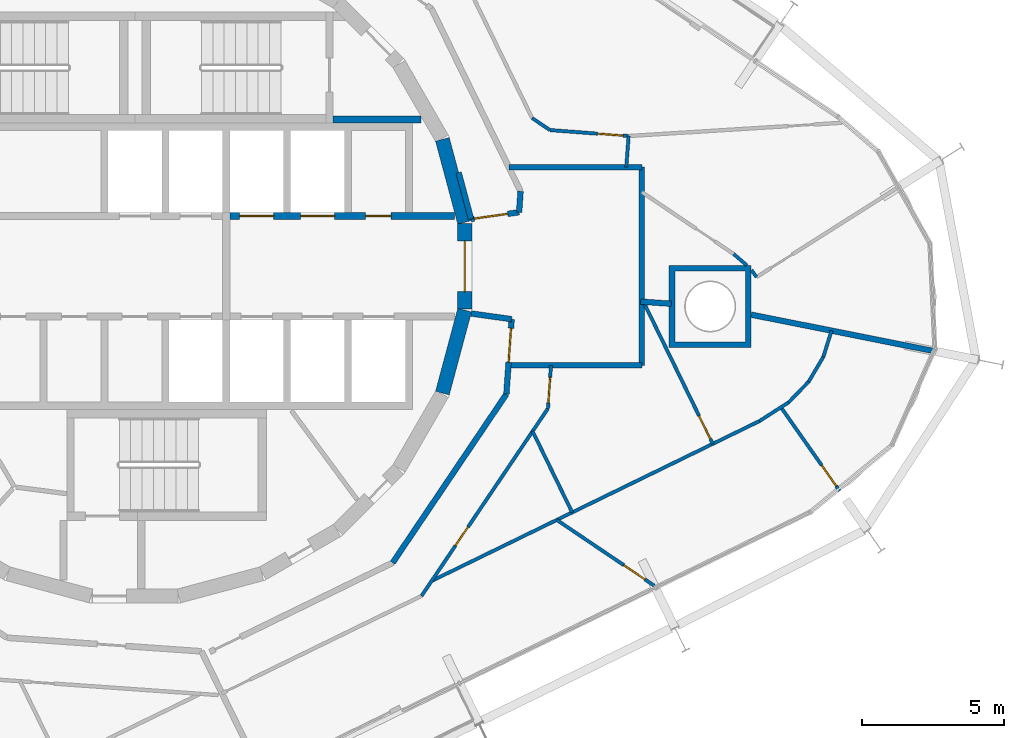
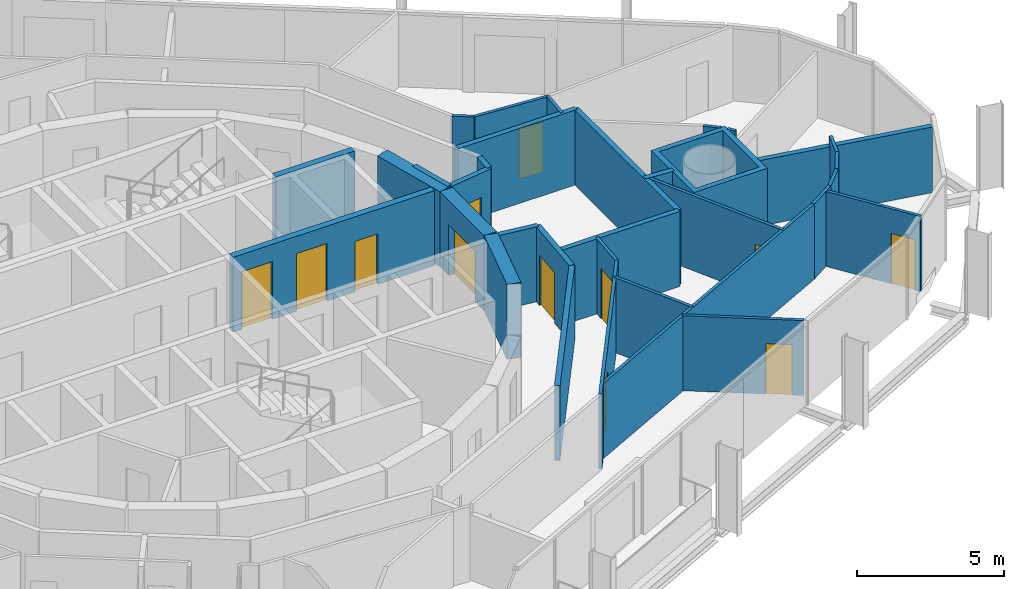
# One storey, part 14 of 18: 33 walls, 12 doors, 12 openings.
"""IFC4 building model written with IfcOpenShell, lengths in metres."""

from ifc_helpers import new_model, si_unit, direction, frame, frame_2d, origin, place, context, subcontext, project, spatial, polyline, rectangle, outline, extrude, material, layer, layer_set, type_object, element, fill, save


model = new_model("IFC4")

# Units and contexts
model_context = context("Model", 3, precision=1e-05, world=origin(), true_north=direction((0.0, 1.0)))
body_context = subcontext(model_context, "Body", "Model", "MODEL_VIEW")
ifc_project = project(units=[si_unit("LENGTHUNIT", "METRE"), si_unit("AREAUNIT", "SQUARE_METRE"), si_unit("VOLUMEUNIT", "CUBIC_METRE"), si_unit("PLANEANGLEUNIT", "RADIAN"), si_unit("MASSUNIT", "GRAM", prefix="KILO")], contexts=[model_context])

# Site, building, storey
site_placement = place(None, origin())
site = spatial("IfcSite", under=ifc_project, at=site_placement, CompositionType="ELEMENT")
building_placement = place(site_placement, origin())
building = spatial("IfcBuilding", under=site, at=building_placement, Name="Spindle Arch Residences", CompositionType="ELEMENT")
storey_placement = place(building_placement, frame((0.0, 0.0, 205.89990234375)))
storey = spatial("IfcBuildingStorey", under=building, at=storey_placement, Name="L52", CompositionType="ELEMENT", Elevation=205.89990234375)

# Wall
ifc_material_1 = material(Name="Concrete C50/60", Category="concrete")
ifc_layer_1 = layer(ifc_material_1, 0.5)
ifc_layer_set_1 = layer_set([ifc_layer_1], Name="Core outline wall 500")
wall_type_1 = type_object("IfcWallType", Name="Core outline wall 500", PredefinedType="SHEAR", material=ifc_layer_set_1)
wall_1_placement = place(storey_placement, frame((10.858154296875, -4.479248046875, 0.0), z_axis=(0.0, 0.0, 1.0), x_axis=(0.258734743916, 0.965948410781, 0.0)))
element("IfcWall", 1, at=wall_1_placement, inside=storey, type_object=wall_type_1, Name="Core outline wall 5", PredefinedType="SHEAR", context=body_context, shape_type="SweptSolid", body=[
    extrude(rectangle(XDim=3.03271484375, YDim=0.5, at=frame_2d((1.516357421875, 0.0))), origin(), (0.0, 0.0, 1.0), 3.1201171875),
])

# Wall, opening, door
wall_2_placement = place(storey_placement, frame((11.647216796875, -1.516357421875, 0.0), z_axis=(0.0, 0.0, 1.0), x_axis=(0.0, 1.0, 0.0)))
wall_2 = element("IfcWall", 2, at=wall_2_placement, inside=storey, type_object=wall_type_1, Name="Core outline wall 6", PredefinedType="SHEAR", context=body_context, shape_type="SweptSolid", body=[
    extrude(rectangle(XDim=3.03271484375, YDim=0.5, at=frame_2d((1.516357421875, 0.0))), origin(), (0.0, 0.0, 1.0), 3.1201171875),
])
opening_1_placement = place(wall_2_placement, frame((0.6162109375, 0.0, 0.0)))
opening_1 = element("IfcOpeningElement", 3, at=opening_1_placement, cuts=wall_2, Name="Opening R5B1-FE01", PredefinedType="OPENING", context=body_context, shape_type="SweptSolid", body=[
    extrude(rectangle(XDim=1.800048828125, YDim=2.10009765625, at=frame_2d((0.89990234375, 1.050048828125))), frame((0.0, 0.260009765625, 0.0), z_axis=(0.0, -1.0, 0.0), x_axis=(1.0, 0.0, 0.0)), (0.0, 0.0, 1.0), 0.52001953125),
])
ifc_material_2 = material(Name="Steel, fire-resisting door", Category="steel")
door_type_1 = type_object("IfcDoorType", Name="Fire-lift lobby door 1800x2100", OperationType="DOUBLE_DOOR_SINGLE_SWING", PredefinedType="DOOR", material=ifc_material_2)
door_1_placement = place(opening_1_placement, origin())
door_1 = element("IfcDoor", 4, at=door_1_placement, inside=storey, type_object=door_type_1, Name="Fire-lift lobby door R5B1-FE01", OperationType="DOUBLE_DOOR_SINGLE_SWING", OverallHeight=2.10009765625, OverallWidth=1.800048828125, PredefinedType="DOOR", context=body_context, shape_type="SweptSolid", body=[
    extrude(rectangle(XDim=1.800048828125, YDim=2.10009765625, at=frame_2d((0.89990234375, 1.050048828125))), frame((0.0, 0.02490234375, 0.0), z_axis=(0.0, -1.0, 0.0), x_axis=(1.0, 0.0, 0.0)), (0.0, 0.0, 1.0), 0.050048828125),
])
fill(opening_1, door_1)

# Walls
wall_3_placement = place(storey_placement, frame((11.642822265625, 1.5498046875, 0.0), z_axis=(0.0, 0.0, 1.0), x_axis=(-0.258734743916, 0.965948410781, 0.0)))
element("IfcWall", 5, at=wall_3_placement, inside=storey, type_object=wall_type_1, Name="Core outline wall 7", PredefinedType="SHEAR", context=body_context, shape_type="SweptSolid", body=[
    extrude(rectangle(XDim=3.03271484375, YDim=0.5, at=frame_2d((1.516357421875, 0.0))), origin(), (0.0, 0.0, 1.0), 3.1201171875),
])
ifc_material_3 = material(Name="Calcium silicate block, plastered")
ifc_layer_2 = layer(ifc_material_3, 0.199951171875)
ifc_layer_set_2 = layer_set([ifc_layer_2], Name="Corridor wall 200")
wall_type_2 = type_object("IfcWallType", Name="Corridor wall 200", PredefinedType="STANDARD", material=ifc_layer_set_2)
wall_4_placement = place(storey_placement, frame((9.101318359375, -10.469970703125, 0.0), z_axis=(0.0, 0.0, 1.0), x_axis=(0.559195469534, 0.829035841718, 0.0)))
element("IfcWall", 6, at=wall_4_placement, inside=storey, type_object=wall_type_2, Name="Corridor wall R5B1-W021", PredefinedType="STANDARD", context=body_context, shape_type="SweptSolid", body=[
    extrude(rectangle(XDim=7.18115234375, YDim=0.199951171875, at=frame_2d((3.590576171875, 0.0))), origin(), (0.0, 0.0, 1.0), 3.1201171875),
])
ifc_material_4 = material(Name="Calcium silicate block, plastered")
ifc_layer_3 = layer(ifc_material_4, 0.199951171875)
ifc_layer_set_3 = layer_set([ifc_layer_3], Name="Fire-lift lobby bay wall 200")
wall_type_3 = type_object("IfcWallType", Name="Fire-lift lobby bay wall 200", PredefinedType="STANDARD", material=ifc_layer_set_3)
wall_5_placement = place(storey_placement, frame((11.8701171875, 1.668212890625, 0.0), z_axis=(0.0, 0.0, 1.0), x_axis=(-0.258836880648, 0.965921047093, 0.0)))
element("IfcWall", 7, at=wall_5_placement, inside=storey, type_object=wall_type_3, Name="Fire-lift lobby bay wall R5B1-W001", PredefinedType="STANDARD", context=body_context, shape_type="SweptSolid", body=[
    extrude(rectangle(XDim=1.695068359375, YDim=0.199951171875, at=frame_2d((0.84765625, 0.0))), origin(), (0.0, 0.0, 1.0), 3.1201171875),
])

# Wall, opening, door
wall_6_placement = place(storey_placement, frame((11.8701171875, 1.668212890625, 0.0), z_axis=(0.0, 0.0, 1.0), x_axis=(0.990271931984, 0.139145609792, 0.0)))
wall_6 = element("IfcWall", 8, at=wall_6_placement, inside=storey, type_object=wall_type_3, Name="Fire-lift lobby bay wall R5B1-W002", PredefinedType="STANDARD", context=body_context, shape_type="SweptSolid", body=[
    extrude(rectangle(XDim=1.71240234375, YDim=0.199951171875, at=frame_2d((0.856201171875, 0.0))), origin(), (0.0, 0.0, 1.0), 3.1201171875),
])
opening_2_placement = place(wall_6_placement, frame((0.110107421875, 0.0, 0.0)))
opening_2 = element("IfcOpeningElement", 9, at=opening_2_placement, cuts=wall_6, Name="Opening R5B1-CD01", PredefinedType="OPENING", context=body_context, shape_type="SweptSolid", body=[
    extrude(rectangle(XDim=1.199951171875, YDim=2.10009765625, at=frame_2d((0.60009765625, 1.050048828125))), frame((0.0, 0.10986328125, 0.0), z_axis=(0.0, -1.0, 0.0), x_axis=(1.0, 0.0, 0.0)), (0.0, 0.0, 1.0), 0.219970703125),
])
ifc_material_5 = material(Name="Steel, fire-resisting door", Category="steel")
door_type_2 = type_object("IfcDoorType", Name="Corridor division door 1200x2100", OperationType="NOTDEFINED", PredefinedType="DOOR", material=ifc_material_5)
door_2_placement = place(opening_2_placement, origin())
door_2 = element("IfcDoor", 10, at=door_2_placement, inside=storey, type_object=door_type_2, Name="Corridor division door R5B1-CD01", OperationType="DOUBLE_DOOR_SINGLE_SWING", OverallHeight=2.10009765625, OverallWidth=1.199951171875, PredefinedType="DOOR", context=body_context, shape_type="SweptSolid", body=[
    extrude(rectangle(XDim=1.199951171875, YDim=2.10009765625, at=frame_2d((0.60009765625, 1.050048828125))), frame((0.0, 0.02490234375, 0.0), z_axis=(0.0, -1.0, 0.0), x_axis=(1.0, 0.0, 0.0)), (0.0, 0.0, 1.0), 0.050048828125),
])
fill(opening_2, door_2)

# Wall
wall_7_placement = place(storey_placement, frame((13.56591796875, 1.906494140625, 0.0), z_axis=(0.0, 0.0, 1.0), x_axis=(0.07005495793, 0.997543133338, 0.0)))
element("IfcWall", 11, at=wall_7_placement, inside=storey, type_object=wall_type_3, Name="Fire-lift lobby bay wall R5B1-W003", PredefinedType="STANDARD", context=body_context, shape_type="SweptSolid", body=[
    extrude(rectangle(XDim=0.7421875, YDim=0.199951171875, at=frame_2d((0.37109375, 0.0))), origin(), (0.0, 0.0, 1.0), 3.1201171875),
])

# Wall, opening, door
wall_8_placement = place(storey_placement, frame((13.116943359375, -4.5166015625, 0.0), z_axis=(0.0, 0.0, 1.0), x_axis=(0.069736659613, 0.997565435601, 0.0)))
wall_8 = element("IfcWall", 12, at=wall_8_placement, inside=storey, type_object=wall_type_3, Name="Fire-lift lobby bay wall R5B1-W013", PredefinedType="STANDARD", context=body_context, shape_type="SweptSolid", body=[
    extrude(rectangle(XDim=2.653564453125, YDim=0.199951171875, at=frame_2d((1.32666015625, 0.0))), origin(), (0.0, 0.0, 1.0), 3.1201171875),
])
opening_3_placement = place(wall_8_placement, frame((1.134033203125, 0.0, 0.0)))
opening_3 = element("IfcOpeningElement", 13, at=opening_3_placement, cuts=wall_8, Name="Opening R5B1-CD02", PredefinedType="OPENING", context=body_context, shape_type="SweptSolid", body=[
    extrude(rectangle(XDim=1.199951171875, YDim=2.10009765625, at=frame_2d((0.60009765625, 1.050048828125))), frame((0.0, 0.10986328125, 0.0), z_axis=(0.0, -1.0, 0.0), x_axis=(1.0, 0.0, 0.0)), (0.0, 0.0, 1.0), 0.219970703125),
])
door_3_placement = place(opening_3_placement, origin())
door_3 = element("IfcDoor", 14, at=door_3_placement, inside=storey, type_object=door_type_2, Name="Corridor division door R5B1-CD02", OperationType="DOUBLE_DOOR_SINGLE_SWING", OverallHeight=2.10009765625, OverallWidth=1.199951171875, PredefinedType="DOOR", context=body_context, shape_type="SweptSolid", body=[
    extrude(rectangle(XDim=1.199951171875, YDim=2.10009765625, at=frame_2d((0.60009765625, 1.050048828125))), frame((0.0, 0.02490234375, 0.0), z_axis=(0.0, -1.0, 0.0), x_axis=(1.0, 0.0, 0.0)), (0.0, 0.0, 1.0), 0.050048828125),
])
fill(opening_3, door_3)

# Walls
wall_9_placement = place(storey_placement, frame((13.302001953125, -1.869384765625, 0.0), z_axis=(0.0, 0.0, 1.0), x_axis=(-0.990274397042, 0.13912806533, 0.0)))
element("IfcWall", 15, at=wall_9_placement, inside=storey, type_object=wall_type_3, Name="Fire-lift lobby bay wall R5B1-W014", PredefinedType="STANDARD", context=body_context, shape_type="SweptSolid", body=[
    extrude(rectangle(XDim=1.446044921875, YDim=0.199951171875, at=frame_2d((0.72314453125, 0.0))), origin(), (0.0, 0.0, 1.0), 3.1201171875),
])
wall_10_placement = place(storey_placement, frame((17.89990234375, 3.5, 0.0), z_axis=(0.0, 0.0, 1.0), x_axis=(-1.0, 0.0, 0.0)))
element("IfcWall", 16, at=wall_10_placement, inside=storey, type_object=wall_type_3, Name="Fire-lift lobby bay wall R5B1-W025", PredefinedType="STANDARD", context=body_context, shape_type="SweptSolid", body=[
    extrude(rectangle(XDim=4.697998046875, YDim=0.199951171875, at=frame_2d((2.34912109375, 0.0))), origin(), (0.0, 0.0, 1.0), 3.1201171875),
])
wall_11_placement = place(storey_placement, frame((17.89990234375, -3.5, 0.0), z_axis=(0.0, 0.0, 1.0), x_axis=(0.0, 1.0, 0.0)))
element("IfcWall", 17, at=wall_11_placement, inside=storey, type_object=wall_type_3, Name="Fire-lift lobby bay wall R5B1-W026", PredefinedType="STANDARD", context=body_context, shape_type="SweptSolid", body=[
    extrude(rectangle(XDim=7.0, YDim=0.199951171875, at=frame_2d((3.5, 0.0))), origin(), (0.0, 0.0, 1.0), 3.1201171875),
])
wall_12_placement = place(storey_placement, frame((13.18798828125, -3.5, 0.0), z_axis=(0.0, 0.0, 1.0), x_axis=(1.0, 0.0, 0.0)))
element("IfcWall", 18, at=wall_12_placement, inside=storey, type_object=wall_type_3, Name="Fire-lift lobby bay wall R5B1-W027", PredefinedType="STANDARD", context=body_context, shape_type="SweptSolid", body=[
    extrude(rectangle(XDim=4.7119140625, YDim=0.199951171875, at=frame_2d((2.35595703125, 0.0))), origin(), (0.0, 0.0, 1.0), 3.1201171875),
])

# Wall, openings, doors
ifc_material_6 = material(Name="Concrete C40/50", Category="concrete")
ifc_layer_4 = layer(ifc_material_6, 0.25)
ifc_layer_set_4 = layer_set([ifc_layer_4], Name="Fire-lift lobby wall 250")
wall_type_4 = type_object("IfcWallType", Name="Fire-lift lobby wall 250", PredefinedType="SHEAR", material=ifc_layer_set_4)
wall_13_placement = place(storey_placement, frame((3.35009765625, 1.77490234375, 0.0), z_axis=(0.0, 0.0, 1.0), x_axis=(1.0, 0.0, 0.0)))
wall_13 = element("IfcWall", 19, at=wall_13_placement, inside=storey, type_object=wall_type_4, Name="Lift shaft front wall NE", PredefinedType="SHEAR", context=body_context, shape_type="SweptSolid", body=[
    extrude(rectangle(XDim=7.929931640625, YDim=0.25, at=frame_2d((3.96484375, 0.0))), origin(), (0.0, 0.0, 1.0), 3.1201171875),
])
opening_4_placement = place(wall_13_placement, frame((0.35009765625, 0.0, 0.0)))
opening_4 = element("IfcOpeningElement", 20, at=opening_4_placement, cuts=wall_13, Name="Opening R5B1-SLD01", PredefinedType="OPENING", context=body_context, shape_type="SweptSolid", body=[
    extrude(rectangle(XDim=1.199951171875, YDim=2.39990234375, at=frame_2d((0.60009765625, 1.199951171875))), frame((0.0, 0.135009765625, 0.0), z_axis=(0.0, -1.0, 0.0), x_axis=(1.0, 0.0, 0.0)), (0.0, 0.0, 1.0), 0.27001953125),
])
opening_5_placement = place(wall_13_placement, frame((2.5, 0.0, 0.0)))
opening_5 = element("IfcOpeningElement", 21, at=opening_5_placement, cuts=wall_13, Name="Opening R5B1-SLD02", PredefinedType="OPENING", context=body_context, shape_type="SweptSolid", body=[
    extrude(rectangle(XDim=1.199951171875, YDim=2.39990234375, at=frame_2d((0.60009765625, 1.199951171875))), frame((0.0, 0.135009765625, 0.0), z_axis=(0.0, -1.0, 0.0), x_axis=(1.0, 0.0, 0.0)), (0.0, 0.0, 1.0), 0.27001953125),
])
opening_6_placement = place(wall_13_placement, frame((4.800048828125, 0.0, 0.0)))
opening_6 = element("IfcOpeningElement", 22, at=opening_6_placement, cuts=wall_13, Name="Opening R5B1-WD02", PredefinedType="OPENING", context=body_context, shape_type="SweptSolid", body=[
    extrude(rectangle(XDim=0.89990234375, YDim=2.10009765625, at=frame_2d((0.449951171875, 1.050048828125))), frame((0.0, 0.135009765625, 0.0), z_axis=(0.0, -1.0, 0.0), x_axis=(1.0, 0.0, 0.0)), (0.0, 0.0, 1.0), 0.27001953125),
])
ifc_material_7 = material(Name="Steel, fire-resisting landing door", Category="steel")
door_type_3 = type_object("IfcDoorType", Name="Service lift landing door 1200x2400", OperationType="DOUBLE_DOOR_SLIDING", PredefinedType="DOOR", material=ifc_material_7)
door_4_placement = place(opening_4_placement, origin())
door_4 = element("IfcDoor", 23, at=door_4_placement, inside=storey, type_object=door_type_3, Name="Service lift landing door R5B1-SLD01", OperationType="DOUBLE_DOOR_SLIDING", OverallHeight=2.39990234375, OverallWidth=1.199951171875, PredefinedType="DOOR", context=body_context, shape_type="SweptSolid", body=[
    extrude(rectangle(XDim=1.199951171875, YDim=2.39990234375, at=frame_2d((0.60009765625, 1.199951171875))), frame((0.0, 0.02490234375, 0.0), z_axis=(0.0, -1.0, 0.0), x_axis=(1.0, 0.0, 0.0)), (0.0, 0.0, 1.0), 0.050048828125),
])
fill(opening_4, door_4)
door_5_placement = place(opening_5_placement, origin())
door_5 = element("IfcDoor", 24, at=door_5_placement, inside=storey, type_object=door_type_3, Name="Service lift landing door R5B1-SLD02", OperationType="DOUBLE_DOOR_SLIDING", OverallHeight=2.39990234375, OverallWidth=1.199951171875, PredefinedType="DOOR", context=body_context, shape_type="SweptSolid", body=[
    extrude(rectangle(XDim=1.199951171875, YDim=2.39990234375, at=frame_2d((0.60009765625, 1.199951171875))), frame((0.0, 0.02490234375, 0.0), z_axis=(0.0, -1.0, 0.0), x_axis=(1.0, 0.0, 0.0)), (0.0, 0.0, 1.0), 0.050048828125),
])
fill(opening_5, door_5)
ifc_material_8 = material(Name="Steel, fire-resisting door", Category="steel")
door_type_4 = type_object("IfcDoorType", Name="Service room door 900x2100", OperationType="SINGLE_SWING_LEFT", PredefinedType="DOOR", material=ifc_material_8)
door_6_placement = place(opening_6_placement, origin())
door_6 = element("IfcDoor", 25, at=door_6_placement, inside=storey, type_object=door_type_4, Name="Service room door R5B1-WD02", OperationType="SINGLE_SWING_RIGHT", OverallHeight=2.10009765625, OverallWidth=0.89990234375, PredefinedType="DOOR", context=body_context, shape_type="SweptSolid", body=[
    extrude(rectangle(XDim=0.89990234375, YDim=2.10009765625, at=frame_2d((0.449951171875, 1.050048828125))), frame((0.0, 0.02490234375, 0.0), z_axis=(0.0, -1.0, 0.0), x_axis=(1.0, 0.0, 0.0)), (0.0, 0.0, 1.0), 0.050048828125),
])
fill(opening_6, door_6)

# Wall
ifc_material_9 = material(Name="Plasterboard on steel studs", Category="steel")
ifc_layer_5 = layer(ifc_material_9, 0.1201171875)
ifc_layer_set_5 = layer_set([ifc_layer_5], Name="Flat partition 120")
wall_type_5 = type_object("IfcWallType", Name="Flat partition 120", PredefinedType="PARTITIONING", material=ifc_layer_set_5)
wall_14_placement = place(storey_placement, frame((17.3505859375, 3.5, 0.0), z_axis=(0.0, 0.0, 1.0), x_axis=(0.075374124137, 0.997155324616, 0.0)))
element("IfcWall", 26, at=wall_14_placement, inside=storey, type_object=wall_type_5, Name="Flat partition R5B1-W038", PredefinedType="PARTITIONING", context=body_context, shape_type="SweptSolid", body=[
    extrude(rectangle(XDim=1.101318359375, YDim=0.1201171875, at=frame_2d((0.55078125, 0.0))), origin(), (0.0, 0.0, 1.0), 3.1201171875),
])

# Wall, opening, door
wall_15_placement = place(storey_placement, frame((17.43359375, 4.59814453125, 0.0), z_axis=(0.0, 0.0, 1.0), x_axis=(-0.997152077354, 0.075417071205, 0.0)))
wall_15 = element("IfcWall", 27, at=wall_15_placement, inside=storey, type_object=wall_type_5, Name="Flat partition R5B1-W039", PredefinedType="PARTITIONING", context=body_context, shape_type="SweptSolid", body=[
    extrude(rectangle(XDim=2.787353515625, YDim=0.1201171875, at=frame_2d((1.3935546875, 0.0))), origin(), (0.0, 0.0, 1.0), 3.1201171875),
])
opening_7_placement = place(wall_15_placement, frame((0.199951171875, 0.0, 0.0)))
opening_7 = element("IfcOpeningElement", 28, at=opening_7_placement, cuts=wall_15, Name="Opening R5B1-ID01", PredefinedType="OPENING", context=body_context, shape_type="SweptSolid", body=[
    extrude(rectangle(XDim=0.89990234375, YDim=2.10009765625, at=frame_2d((0.449951171875, 1.050048828125))), frame((0.0, 0.070068359375, 0.0), z_axis=(0.0, -1.0, 0.0), x_axis=(1.0, 0.0, 0.0)), (0.0, 0.0, 1.0), 0.14013671875),
])
ifc_material_10 = material(Name="Timber door set", Category="wood")
door_type_5 = type_object("IfcDoorType", Name="Room door 900x2100", OperationType="NOTDEFINED", PredefinedType="DOOR", material=ifc_material_10)
door_7_placement = place(opening_7_placement, origin())
door_7 = element("IfcDoor", 29, at=door_7_placement, inside=storey, type_object=door_type_5, Name="Room door R5B1-ID01", OperationType="SINGLE_SWING_LEFT", OverallHeight=2.10009765625, OverallWidth=0.89990234375, PredefinedType="DOOR", context=body_context, shape_type="SweptSolid", body=[
    extrude(rectangle(XDim=0.89990234375, YDim=2.10009765625, at=frame_2d((0.449951171875, 1.050048828125))), frame((0.0, 0.02490234375, 0.0), z_axis=(0.0, -1.0, 0.0), x_axis=(1.0, 0.0, 0.0)), (0.0, 0.0, 1.0), 0.050048828125),
])
fill(opening_7, door_7)

# Walls
wall_16_placement = place(storey_placement, frame((14.654296875, 4.808349609375, 0.0), z_axis=(0.0, 0.0, 1.0), x_axis=(-0.829065184024, 0.559151965604, 0.0)))
element("IfcWall", 30, at=wall_16_placement, inside=storey, type_object=wall_type_5, Name="Flat partition R5B1-W040", PredefinedType="PARTITIONING", context=body_context, shape_type="SweptSolid", body=[
    extrude(rectangle(XDim=0.758056640625, YDim=0.1201171875, at=frame_2d((0.37890625, 0.0))), origin(), (0.0, 0.0, 1.0), 3.1201171875),
])
wall_17_placement = place(storey_placement, frame((21.610107421875, 0.02978515625, 0.0), z_axis=(0.0, 0.0, 1.0), x_axis=(-0.758532196215, 0.651635563259, 0.0)))
element("IfcWall", 31, at=wall_17_placement, inside=storey, type_object=wall_type_5, Name="Flat partition R5B1-W043", PredefinedType="PARTITIONING", context=body_context, shape_type="SweptSolid", body=[
    extrude(rectangle(XDim=0.618896484375, YDim=0.1201171875, at=frame_2d((0.3095703125, 0.0))), origin(), (0.0, 0.0, 1.0), 3.1201171875),
])
wall_18_placement = place(storey_placement, frame((21.77197265625, -0.13623046875, 0.0), z_axis=(0.0, 0.0, 1.0), x_axis=(0.587310294779, -0.809361858285, 0.0)))
element("IfcWall", 32, at=wall_18_placement, inside=storey, type_object=wall_type_5, Name="Flat partition R5B1-W046", PredefinedType="PARTITIONING", context=body_context, shape_type="SweptSolid", body=[
    extrude(rectangle(XDim=0.303466796875, YDim=0.1201171875, at=frame_2d((0.15185546875, 0.0))), origin(), (0.0, 0.0, 1.0), 3.1201171875),
])

# Wall, opening, door
wall_19_placement = place(storey_placement, frame((10.1201171875, -11.641845703125, 0.0), z_axis=(0.0, 0.0, 1.0), x_axis=(0.55920080659, 0.829032241779, 0.0)))
wall_19 = element("IfcWall", 33, at=wall_19_placement, inside=storey, type_object=wall_type_5, Name="Flat partition R5B1-W102", PredefinedType="PARTITIONING", context=body_context, shape_type="SweptSolid", body=[
    extrude(rectangle(XDim=7.98486328125, YDim=0.1201171875, at=frame_2d((3.992431640625, 0.0))), origin(), (0.0, 0.0, 1.0), 3.1201171875),
])
opening_8_placement = place(wall_19_placement, frame((2.138427734375, 0.0, 0.0)))
opening_8 = element("IfcOpeningElement", 34, at=opening_8_placement, cuts=wall_19, Name="Opening R5B1-BD06", PredefinedType="OPENING", context=body_context, shape_type="SweptSolid", body=[
    extrude(rectangle(XDim=0.800048828125, YDim=2.10009765625, at=frame_2d((0.39990234375, 1.050048828125))), frame((0.0, 0.070068359375, 0.0), z_axis=(0.0, -1.0, 0.0), x_axis=(1.0, 0.0, 0.0)), (0.0, 0.0, 1.0), 0.14013671875),
])
ifc_material_11 = material(Name="Timber door set", Category="wood")
door_type_6 = type_object("IfcDoorType", Name="Bathroom door 800x2100", OperationType="NOTDEFINED", PredefinedType="DOOR", material=ifc_material_11)
door_8_placement = place(opening_8_placement, origin())
door_8 = element("IfcDoor", 35, at=door_8_placement, inside=storey, type_object=door_type_6, Name="Bathroom door R5B1-BD06", OperationType="SINGLE_SWING_RIGHT", OverallHeight=2.10009765625, OverallWidth=0.800048828125, PredefinedType="DOOR", context=body_context, shape_type="SweptSolid", body=[
    extrude(rectangle(XDim=0.800048828125, YDim=2.10009765625, at=frame_2d((0.39990234375, 1.050048828125))), frame((0.0, 0.02490234375, 0.0), z_axis=(0.0, -1.0, 0.0), x_axis=(1.0, 0.0, 0.0)), (0.0, 0.0, 1.0), 0.050048828125),
])
fill(opening_8, door_8)

wall_20_placement = place(storey_placement, frame((14.585205078125, -5.022216796875, 0.0), z_axis=(0.0, 0.0, 1.0), x_axis=(0.069757481187, 0.997563979812, 0.0)))
wall_20 = element("IfcWall", 36, at=wall_20_placement, inside=storey, type_object=wall_type_5, Name="Flat partition R5B1-W103", PredefinedType="PARTITIONING", context=body_context, shape_type="SweptSolid", body=[
    extrude(rectangle(XDim=1.52587890625, YDim=0.1201171875, at=frame_2d((0.762939453125, 0.0))), origin(), (0.0, 0.0, 1.0), 3.1201171875),
])
opening_9_placement = place(wall_20_placement, frame((0.199951171875, 0.0, 0.0)))
opening_9 = element("IfcOpeningElement", 37, at=opening_9_placement, cuts=wall_20, Name="Opening R5B1-ID23", PredefinedType="OPENING", context=body_context, shape_type="SweptSolid", body=[
    extrude(rectangle(XDim=0.89990234375, YDim=2.10009765625, at=frame_2d((0.449951171875, 1.050048828125))), frame((0.0, 0.070068359375, 0.0), z_axis=(0.0, -1.0, 0.0), x_axis=(1.0, 0.0, 0.0)), (0.0, 0.0, 1.0), 0.14013671875),
])
door_9_placement = place(opening_9_placement, origin())
door_9 = element("IfcDoor", 38, at=door_9_placement, inside=storey, type_object=door_type_5, Name="Room door R5B1-ID23", OperationType="SINGLE_SWING_RIGHT", OverallHeight=2.10009765625, OverallWidth=0.89990234375, PredefinedType="DOOR", context=body_context, shape_type="SweptSolid", body=[
    extrude(rectangle(XDim=0.89990234375, YDim=2.10009765625, at=frame_2d((0.449951171875, 1.050048828125))), frame((0.0, 0.02490234375, 0.0), z_axis=(0.0, -1.0, 0.0), x_axis=(1.0, 0.0, 0.0)), (0.0, 0.0, 1.0), 0.050048828125),
])
fill(opening_9, door_9)

# Wall
wall_21_placement = place(storey_placement, frame((22.05224609375, -5.467041015625, 0.0), z_axis=(0.0, 0.0, 1.0), x_axis=(-0.898796865831, -0.438365365846, 0.0)))
element("IfcWall", 39, at=wall_21_placement, inside=storey, type_object=wall_type_5, Name="Flat partition R5B1-W104", PredefinedType="PARTITIONING", context=body_context, shape_type="SweptSolid", body=[
    extrude(rectangle(XDim=12.878662109375, YDim=0.1201171875, at=frame_2d((6.439453125, 0.0))), origin(), (0.0, 0.0, 1.0), 3.1201171875),
])

# Wall, opening, door
wall_22_placement = place(storey_placement, frame((18.342529296875, -11.28173828125, 0.0), z_axis=(0.0, 0.0, 1.0), x_axis=(-0.829047434778, 0.559178281845, 0.0)))
wall_22 = element("IfcWall", 40, at=wall_22_placement, inside=storey, type_object=wall_type_5, Name="Flat partition R5B1-W105", PredefinedType="PARTITIONING", context=body_context, shape_type="SweptSolid", body=[
    extrude(rectangle(XDim=4.156982421875, YDim=0.1201171875, at=frame_2d((2.07861328125, 0.0))), origin(), (0.0, 0.0, 1.0), 3.1201171875),
])
opening_10_placement = place(wall_22_placement, frame((0.39990234375, 0.0, 0.0)))
opening_10 = element("IfcOpeningElement", 41, at=opening_10_placement, cuts=wall_22, Name="Opening R5B1-ID25", PredefinedType="OPENING", context=body_context, shape_type="SweptSolid", body=[
    extrude(rectangle(XDim=0.89990234375, YDim=2.10009765625, at=frame_2d((0.449951171875, 1.050048828125))), frame((0.0, 0.070068359375, 0.0), z_axis=(0.0, -1.0, 0.0), x_axis=(1.0, 0.0, 0.0)), (0.0, 0.0, 1.0), 0.14013671875),
])
door_10_placement = place(opening_10_placement, origin())
door_10 = element("IfcDoor", 42, at=door_10_placement, inside=storey, type_object=door_type_5, Name="Room door R5B1-ID25", OperationType="SINGLE_SWING_RIGHT", OverallHeight=2.10009765625, OverallWidth=0.89990234375, PredefinedType="DOOR", context=body_context, shape_type="SweptSolid", body=[
    extrude(rectangle(XDim=0.89990234375, YDim=2.10009765625, at=frame_2d((0.449951171875, 1.050048828125))), frame((0.0, 0.02490234375, 0.0), z_axis=(0.0, -1.0, 0.0), x_axis=(1.0, 0.0, 0.0)), (0.0, 0.0, 1.0), 0.050048828125),
])
fill(opening_10, door_10)

# Wall
wall_23_placement = place(storey_placement, frame((15.440185546875, -8.69189453125, 0.0), z_axis=(0.0, 0.0, 1.0), x_axis=(-0.438339139088, 0.898809656792, 0.0)))
element("IfcWall", 43, at=wall_23_placement, inside=storey, type_object=wall_type_5, Name="Flat partition R5B1-W106", PredefinedType="PARTITIONING", context=body_context, shape_type="SweptSolid", body=[
    extrude(rectangle(XDim=3.18798828125, YDim=0.1201171875, at=frame_2d((1.593994140625, 0.0))), origin(), (0.0, 0.0, 1.0), 3.1201171875),
])

# Wall, opening, door
wall_24_placement = place(storey_placement, frame((24.8828125, -7.9287109375, 0.0), z_axis=(0.0, 0.0, 1.0), x_axis=(-0.574753041075, 0.818326916198, 0.0)))
wall_24 = element("IfcWall", 44, at=wall_24_placement, inside=storey, type_object=wall_type_5, Name="Flat partition R5B1-W107", PredefinedType="PARTITIONING", context=body_context, shape_type="SweptSolid", body=[
    extrude(rectangle(XDim=3.603271484375, YDim=0.1201171875, at=frame_2d((1.8017578125, 0.0))), origin(), (0.0, 0.0, 1.0), 3.1201171875),
])
opening_11_placement = place(wall_24_placement, frame((0.199951171875, 0.0, 0.0)))
opening_11 = element("IfcOpeningElement", 45, at=opening_11_placement, cuts=wall_24, Name="Opening R5B1-ID26", PredefinedType="OPENING", context=body_context, shape_type="SweptSolid", body=[
    extrude(rectangle(XDim=0.89990234375, YDim=2.10009765625, at=frame_2d((0.449951171875, 1.050048828125))), frame((0.0, 0.070068359375, 0.0), z_axis=(0.0, -1.0, 0.0), x_axis=(1.0, 0.0, 0.0)), (0.0, 0.0, 1.0), 0.14013671875),
])
door_11_placement = place(opening_11_placement, origin())
door_11 = element("IfcDoor", 46, at=door_11_placement, inside=storey, type_object=door_type_5, Name="Room door R5B1-ID26", OperationType="SINGLE_SWING_RIGHT", OverallHeight=2.10009765625, OverallWidth=0.89990234375, PredefinedType="DOOR", context=body_context, shape_type="SweptSolid", body=[
    extrude(rectangle(XDim=0.89990234375, YDim=2.10009765625, at=frame_2d((0.449951171875, 1.050048828125))), frame((0.0, 0.02490234375, 0.0), z_axis=(0.0, -1.0, 0.0), x_axis=(1.0, 0.0, 0.0)), (0.0, 0.0, 1.0), 0.050048828125),
])
fill(opening_11, door_11)

# Wall
wall_25_placement = place(storey_placement, frame((23.085205078125, -4.8046875, 0.0), z_axis=(0.0, 0.0, 1.0), x_axis=(-0.841804960937, -0.539781814942, 0.0)))
element("IfcWall", 47, at=wall_25_placement, inside=storey, type_object=wall_type_5, Name="Flat partition R5B1-W108", PredefinedType="PARTITIONING", context=body_context, shape_type="SweptSolid", body=[
    extrude(rectangle(XDim=1.22705078125, YDim=0.1201171875, at=frame_2d((0.613525390625, 0.0))), origin(), (0.0, 0.0, 1.0), 3.1201171875),
])

# Wall, opening, door
wall_26_placement = place(storey_placement, frame((20.4033203125, -6.271240234375, 0.0), z_axis=(0.0, 0.0, 1.0), x_axis=(-0.438371913736, 0.898793672234, 0.0)))
wall_26 = element("IfcWall", 48, at=wall_26_placement, inside=storey, type_object=wall_type_5, Name="Flat partition R5B1-W109", PredefinedType="PARTITIONING", context=body_context, shape_type="SweptSolid", body=[
    extrude(rectangle(XDim=5.580322265625, YDim=0.1201171875, at=frame_2d((2.7900390625, 0.0))), origin(), (0.0, 0.0, 1.0), 3.1201171875),
])
opening_12_placement = place(wall_26_placement, frame((0.199951171875, 0.0, 0.0)))
opening_12 = element("IfcOpeningElement", 49, at=opening_12_placement, cuts=wall_26, Name="Opening R5B1-ID24", PredefinedType="OPENING", context=body_context, shape_type="SweptSolid", body=[
    extrude(rectangle(XDim=0.89990234375, YDim=2.10009765625, at=frame_2d((0.449951171875, 1.050048828125))), frame((0.0, 0.070068359375, 0.0), z_axis=(0.0, -1.0, 0.0), x_axis=(1.0, 0.0, 0.0)), (0.0, 0.0, 1.0), 0.14013671875),
])
door_12_placement = place(opening_12_placement, origin())
door_12 = element("IfcDoor", 50, at=door_12_placement, inside=storey, type_object=door_type_5, Name="Room door R5B1-ID24", OperationType="SINGLE_SWING_RIGHT", OverallHeight=2.10009765625, OverallWidth=0.89990234375, PredefinedType="DOOR", context=body_context, shape_type="SweptSolid", body=[
    extrude(rectangle(XDim=0.89990234375, YDim=2.10009765625, at=frame_2d((0.449951171875, 1.050048828125))), frame((0.0, 0.02490234375, 0.0), z_axis=(0.0, -1.0, 0.0), x_axis=(1.0, 0.0, 0.0)), (0.0, 0.0, 1.0), 0.050048828125),
])
fill(opening_12, door_12)

# Walls
wall_27_placement = place(storey_placement, frame((24.597900390625, -2.274658203125, 0.0), z_axis=(0.0, 0.0, 1.0), x_axis=(-0.297959469991, -0.95457852178, 0.0)))
element("IfcWall", 51, at=wall_27_placement, inside=storey, type_object=wall_type_5, Name="Flat partition R5B1-W110", PredefinedType="PARTITIONING", context=body_context, shape_type="SweptSolid", body=[
    extrude(rectangle(XDim=0.96923828125, YDim=0.1201171875, at=frame_2d((0.484619140625, 0.0))), origin(), (0.0, 0.0, 1.0), 3.1201171875),
])
wall_28_placement = place(storey_placement, frame((24.30908203125, -3.199951171875, 0.0), z_axis=(0.0, 0.0, 1.0), x_axis=(-0.509894600044, -0.860236884146, 0.0)))
element("IfcWall", 52, at=wall_28_placement, inside=storey, type_object=wall_type_5, Name="Flat partition R5B1-W111", PredefinedType="PARTITIONING", context=body_context, shape_type="SweptSolid", body=[
    extrude(rectangle(XDim=1.01611328125, YDim=0.1201171875, at=frame_2d((0.508056640625, 0.0))), origin(), (0.0, 0.0, 1.0), 3.1201171875),
])
wall_29_placement = place(storey_placement, frame((23.791015625, -4.073974609375, 0.0), z_axis=(0.0, 0.0, 1.0), x_axis=(-0.694744601716, -0.719256517792, 0.0)))
element("IfcWall", 53, at=wall_29_placement, inside=storey, type_object=wall_type_5, Name="Flat partition R5B1-W112", PredefinedType="PARTITIONING", context=body_context, shape_type="SweptSolid", body=[
    extrude(rectangle(XDim=1.015869140625, YDim=0.1201171875, at=frame_2d((0.5078125, 0.0))), origin(), (0.0, 0.0, 1.0), 3.1201171875),
])
ifc_material_12 = material(Name="Calcium silicate block, plastered")
ifc_layer_6 = layer(ifc_material_12, 0.199951171875)
ifc_layer_set_6 = layer_set([ifc_layer_6], Name="Flat party wall 200")
wall_type_6 = type_object("IfcWallType", Name="Flat party wall 200", PredefinedType="STANDARD", material=ifc_layer_set_6)
wall_30_placement = place(storey_placement, frame((17.857421875, -1.24853515625, 0.0), z_axis=(0.0, 0.0, 1.0), x_axis=(0.997556932604, -0.069858186453, 0.0)))
element("IfcWall", 54, at=wall_30_placement, inside=storey, type_object=wall_type_6, Name="Flat party wall R5B1-W029", PredefinedType="STANDARD", context=body_context, shape_type="SweptSolid", body=[
    extrude(rectangle(XDim=1.0869140625, YDim=0.199951171875, at=frame_2d((0.54345703125, 0.0))), origin(), (0.0, 0.0, 1.0), 3.1201171875),
])
ifc_material_13 = material(Name="Calcium silicate block, plastered")
ifc_layer_7 = layer(ifc_material_13, 0.199951171875)
ifc_layer_set_7 = layer_set([ifc_layer_7], Name="Flat party wall 200 under beam 2730")
wall_type_7 = type_object("IfcWallType", Name="Flat party wall 200 under beam 2730", PredefinedType="STANDARD", material=ifc_layer_set_7)
wall_31_placement = place(storey_placement, frame((21.761962890625, -1.70947265625, 0.0), z_axis=(0.0, 0.0, 1.0), x_axis=(0.980707365343, -0.195481619501, 0.0)))
element("IfcWall", 55, at=wall_31_placement, inside=storey, type_object=wall_type_7, Name="Flat party wall R5B1-W030", PredefinedType="STANDARD", context=body_context, shape_type="SweptSolid", body=[
    extrude(rectangle(XDim=6.511962890625, YDim=0.199951171875, at=frame_2d((3.255859375, 0.0))), origin(), (0.0, 0.0, 1.0), 2.72998046875),
])
ifc_material_14 = material(Name="Calcium silicate block, plastered")
ifc_layer_8 = layer(ifc_material_14, 0.199951171875)
ifc_layer_set_8 = layer_set([ifc_layer_8], Name="Mega-column casing wall 200")
wall_type_8 = type_object("IfcWallType", Name="Mega-column casing wall 200", PredefinedType="STANDARD", material=ifc_layer_set_8)
wall_32_placement = place(storey_placement, origin())
element("IfcWall", 56, at=wall_32_placement, inside=storey, type_object=wall_type_8, Name="Mega-column casing wall R5B1-WC03", PredefinedType="STANDARD", context=body_context, shape_type="SweptSolid", body=[
    extrude(outline(polyline([(21.761962890625, 0.02978515625), (21.761962890625, -2.870361328125), (18.86181640625, -2.870361328125), (18.86181640625, 0.02978515625), (21.761962890625, 0.02978515625)]), holes=[polyline([(19.06201171875, -2.67041015625), (21.56201171875, -2.67041015625), (21.56201171875, -0.17041015625), (19.06201171875, -0.17041015625), (19.06201171875, -2.67041015625)])]), origin(), (0.0, 0.0, 1.0), 3.1201171875),
])
ifc_material_15 = material(Name="Concrete C40/50", Category="concrete")
ifc_layer_9 = layer(ifc_material_15, 0.25)
ifc_layer_set_9 = layer_set([ifc_layer_9], Name="Stair airlock wall 250")
wall_type_9 = type_object("IfcWallType", Name="Stair airlock wall 250", PredefinedType="SHEAR", material=ifc_layer_set_9)
wall_33_placement = place(storey_placement, frame((7.0, 5.175048828125, 0.0), z_axis=(0.0, 0.0, 1.0), x_axis=(1.0, 0.0, 0.0)))
element("IfcWall", 57, at=wall_33_placement, inside=storey, type_object=wall_type_9, Name="Stair ST-1 airlock wall S", PredefinedType="SHEAR", context=body_context, shape_type="SweptSolid", body=[
    extrude(rectangle(XDim=3.10009765625, YDim=0.25, at=frame_2d((1.550048828125, 0.0))), origin(), (0.0, 0.0, 1.0), 3.1201171875),
])

save(model, "model.ifc")
